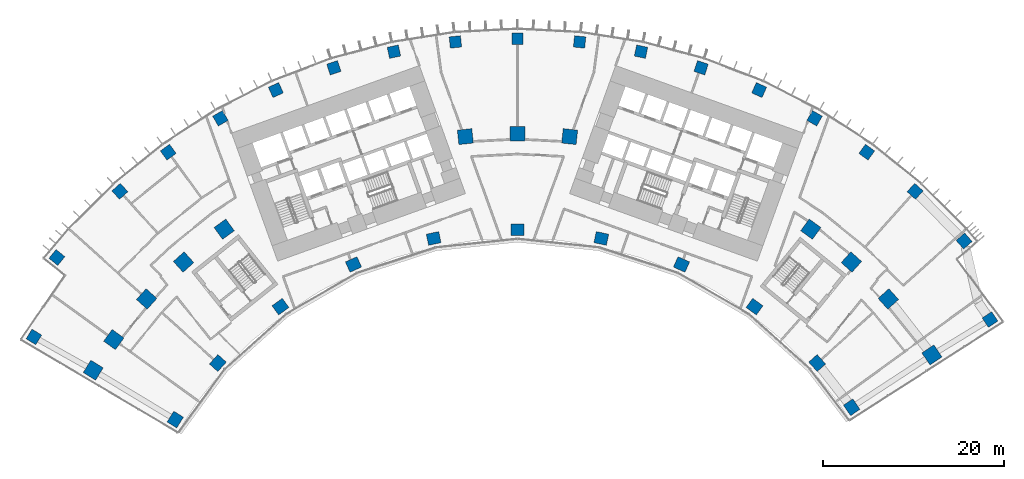
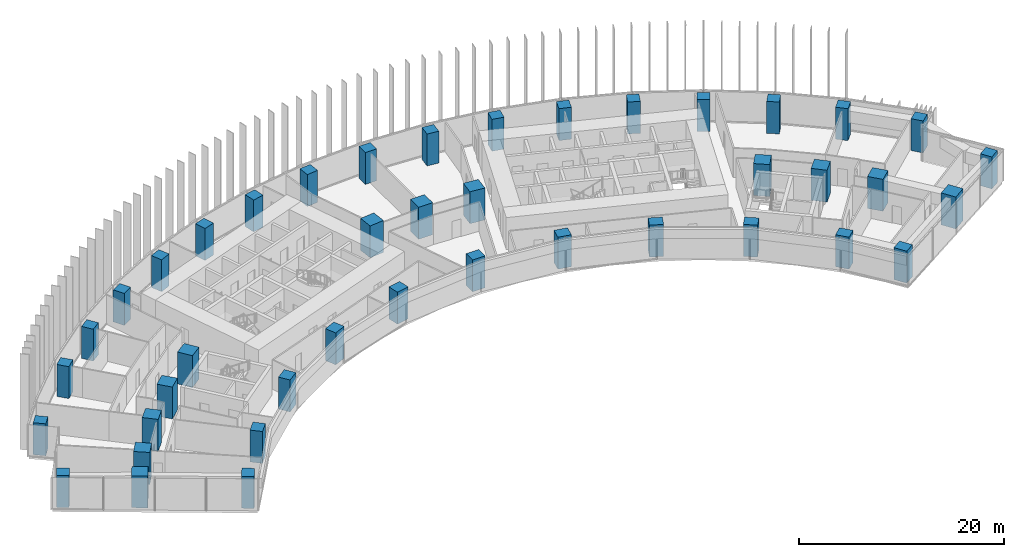
# One storey, part 1 of 25: 42 columns.
"""IFC4 building model written with IfcOpenShell, lengths in metres."""

from ifc_helpers import new_model, si_unit, direction, frame, origin, origin_2d, place, context, subcontext, project, spatial, rectangle, extrude, material, material_profile, profile_set, type_object, element, save


model = new_model("IFC4")

# Units and contexts
model_context = context("Model", 3, precision=1e-05, world=origin(), true_north=direction((0.0, 1.0)))
body_context = subcontext(model_context, "Body", "Model", "MODEL_VIEW")
ifc_project = project(units=[si_unit("LENGTHUNIT", "METRE"), si_unit("AREAUNIT", "SQUARE_METRE"), si_unit("VOLUMEUNIT", "CUBIC_METRE"), si_unit("PLANEANGLEUNIT", "RADIAN"), si_unit("MASSUNIT", "GRAM", prefix="KILO")], contexts=[model_context])

# Site, building, storey
site_placement = place(None, origin())
site = spatial("IfcSite", under=ifc_project, at=site_placement, CompositionType="ELEMENT")
building_placement = place(site_placement, origin())
building = spatial("IfcBuilding", under=site, at=building_placement, Name="Stone Belt Terrace Tower", CompositionType="ELEMENT")
storey_placement = place(building_placement, frame((0.0, 0.0, 52.800048828125)))
storey = spatial("IfcBuildingStorey", under=building, at=storey_placement, Name="L12", CompositionType="ELEMENT", Elevation=52.800048828125)

# Columns
ifc_material = material(Name="Concrete B80", Category="concrete")
ifc_material_profile_1 = material_profile(ifc_material, rectangle(XDim=1.25, YDim=1.25, at=origin_2d()), Name="RC 1250x1250")
ifc_profile_set_1 = profile_set([ifc_material_profile_1], Name="Concrete B80")
column_type_1 = type_object("IfcColumnType", Name="Column RC 1250x1250 B80", PredefinedType="COLUMN", material=ifc_profile_set_1)
for number, where, z_axis, x_axis, name in (
    (1, (-53.30078125, 32.6171875, 0.0), (0.0, 0.0, 1.0), (0.521967198123, 0.852965558556, 0.0), "Column L12 RA"),
    (2, (52.079833984375, 34.533203125, 0.0), (0.0, 0.0, 1.0), (0.552632476899, -0.833425068903, 0.0), "Column L12 RB"),
    (3, (-50.7646484375, 41.373046875, 0.0), (0.0, 0.0, 1.0), (0.631758757508, 0.775165061333, 0.0), "Column L12 RNA"),
    (4, (-43.820556640625, 48.667724609375, 0.0), (0.0, 0.0, 1.0), (0.743144825477, 0.669130606359, 0.0), "Column L12 R15"),
    (5, (-38.493408203125, 52.981689453125, 0.0), (0.0, 0.0, 1.0), (0.809016994375, 0.587785252292, 0.0), "Column L12 R16"),
    (6, (-32.744384765625, 56.715087890625, 0.0), (0.0, 0.0, 1.0), (0.866025403784, 0.5, 0.0), "Column L12 R17"),
    (7, (-26.63671875, 59.8271484375, 0.0), (0.0, 0.0, 1.0), (0.913545457643, 0.406736643076, 0.0), "Column L12 R18"),
    (8, (-20.2373046875, 62.28369140625, 0.0), (0.0, 0.0, 1.0), (0.951056516295, 0.309016994375, 0.0), "Column L12 R19"),
    (9, (-13.615966796875, 64.057861328125, 0.0), (0.0, 0.0, 1.0), (0.978147600734, 0.207911690818, 0.0), "Column L12 R20"),
    (10, (-6.845458984375, 65.130126953125, 0.0), (0.0, 0.0, 1.0), (0.994521895368, 0.104528463268, 0.0), "Column L12 R21"),
    (11, (0.0, 65.489013671875, 0.0), (0.0, 0.0, 1.0), (1.0, 0.0, 0.0), "Column L12 R22"),
    (12, (6.845458984375, 65.130126953125, 0.0), (0.0, 0.0, 1.0), (0.994521895368, -0.104528463268, 0.0), "Column L12 R23"),
    (13, (13.615966796875, 64.057861328125, 0.0), (0.0, 0.0, 1.0), (0.978147600734, -0.207911690818, 0.0), "Column L12 R24"),
    (14, (20.2373046875, 62.28369140625, 0.0), (0.0, 0.0, 1.0), (0.951056516295, -0.309016994375, 0.0), "Column L12 R25"),
    (15, (26.63671875, 59.8271484375, 0.0), (0.0, 0.0, 1.0), (0.913545457643, -0.406736643076, 0.0), "Column L12 R26"),
    (16, (32.744384765625, 56.715087890625, 0.0), (0.0, 0.0, 1.0), (0.866025403784, -0.5, 0.0), "Column L12 R27"),
    (17, (38.493408203125, 52.981689453125, 0.0), (0.0, 0.0, 1.0), (0.809016994375, -0.587785252292, 0.0), "Column L12 R28"),
    (18, (43.820556640625, 48.667724609375, 0.0), (0.0, 0.0, 1.0), (0.743144825477, -0.669130606359, 0.0), "Column L12 R29"),
    (19, (49.22705078125, 43.19140625, 0.0), (0.0, 0.0, 1.0), (0.659521632939, -0.751685582997, 0.0), "Column L12 RNB"),
):
    element("IfcColumn", number, at=place(storey_placement, frame(where, z_axis=z_axis, x_axis=x_axis)), inside=storey, type_object=column_type_1, Name=name, PredefinedType="COLUMN", context=body_context, shape_type="SweptSolid", body=[
        extrude(rectangle(XDim=1.25, YDim=1.25, at=origin_2d()), origin(), (0.0, 0.0, 1.0), 3.800048828125),
    ])
ifc_material_profile_2 = material_profile(ifc_material, rectangle(XDim=1.39990234375, YDim=1.25, at=origin_2d()), Name="RC 1400x1250")
ifc_profile_set_2 = profile_set([ifc_material_profile_2], Name="Concrete B80")
column_type_2 = type_object("IfcColumnType", Name="Column RC 1400x1250 B80", PredefinedType="COLUMN", material=ifc_profile_set_2)
for number, where, z_axis, x_axis, name in (
    (20, (-37.718017578125, 23.510009765625, 0.0), (0.0, 0.0, 1.0), (0.528967211548, 0.84864226215, 0.0), "Column L12 PA"),
    (21, (-33.029052734375, 29.739501953125, 0.0), (0.0, 0.0, 1.0), (0.669130606359, 0.743144825477, 0.0), "Column L12 P14"),
    (22, (-26.1240234375, 35.956787109375, 0.0), (0.0, 0.0, 1.0), (0.809016994375, 0.587785252292, 0.0), "Column L12 P16"),
    (23, (-18.077392578125, 40.6025390625, 0.0), (0.0, 0.0, 1.0), (0.913545457643, 0.406736643076, 0.0), "Column L12 P18"),
    (24, (-9.240478515625, 43.473876953125, 0.0), (0.0, 0.0, 1.0), (0.978147600734, 0.207911690818, 0.0), "Column L12 P20"),
    (25, (0.0, 44.445068359375, 0.0), (0.0, 0.0, 1.0), (1.0, 0.0, 0.0), "Column L12 P22"),
    (26, (9.240478515625, 43.473876953125, 0.0), (0.0, 0.0, 1.0), (0.978147600734, -0.207911690818, 0.0), "Column L12 P24"),
    (27, (18.077392578125, 40.6025390625, 0.0), (0.0, 0.0, 1.0), (0.913545457643, -0.406736643076, 0.0), "Column L12 P26"),
    (28, (26.1240234375, 35.956787109375, 0.0), (0.0, 0.0, 1.0), (0.809016994375, -0.587785252292, 0.0), "Column L12 P28"),
    (29, (33.029052734375, 29.739501953125, 0.0), (0.0, 0.0, 1.0), (0.669130606359, -0.743144825477, 0.0), "Column L12 P30"),
    (30, (36.83837890625, 24.865478515625, 0.0), (0.0, 0.0, 1.0), (0.559469238608, -0.828851115129, 0.0), "Column L12 PB"),
):
    element("IfcColumn", number, at=place(storey_placement, frame(where, z_axis=z_axis, x_axis=x_axis)), inside=storey, type_object=column_type_2, Name=name, PredefinedType="COLUMN", context=body_context, shape_type="SweptSolid", body=[
        extrude(rectangle(XDim=1.39990234375, YDim=1.25, at=origin_2d()), origin(), (0.0, 0.0, 1.0), 3.800048828125),
    ])
ifc_material_profile_3 = material_profile(ifc_material, rectangle(XDim=1.60009765625, YDim=1.60009765625, at=origin_2d()), Name="RC 1600x1600")
ifc_profile_set_3 = profile_set([ifc_material_profile_3], Name="Concrete B80")
column_type_3 = type_object("IfcColumnType", Name="Column RC 1600x1600 B80", PredefinedType="COLUMN", material=ifc_profile_set_3)
for number, where, z_axis, x_axis, name in (
    (31, (-46.763671875, 28.951171875, 0.0), (0.0, 0.0, 1.0), (0.526383105721, 0.850247508677, 0.0), "Column L12 QA"),
    (32, (-44.495849609375, 32.328125, 0.0), (0.0, 0.0, 1.0), (0.587785252292, 0.809016994375, 0.0), "Column L12 Q13"),
    (33, (-40.873046875, 36.80224609375, 0.0), (0.0, 0.0, 1.0), (0.669130606359, 0.743144825477, 0.0), "Column L12 Q14"),
    (34, (-36.80224609375, 40.873046875, 0.0), (0.0, 0.0, 1.0), (0.743144825477, 0.669130606359, 0.0), "Column L12 Q15"),
    (35, (-32.328125, 44.495849609375, 0.0), (0.0, 0.0, 1.0), (0.809016994375, 0.587785252292, 0.0), "Column L12 Q16"),
    (36, (-5.7490234375, 54.69873046875, 0.0), (0.0, 0.0, 1.0), (0.994521895368, 0.104528463268, 0.0), "Column L12 Q21"),
    (37, (0.0, 55.0, 0.0), (0.0, 0.0, 1.0), (1.0, 0.0, 0.0), "Column L12 Q22"),
    (38, (5.7490234375, 54.69873046875, 0.0), (0.0, 0.0, 1.0), (0.994521895368, -0.104528463268, 0.0), "Column L12 Q23"),
    (39, (32.328125, 44.495849609375, 0.0), (0.0, 0.0, 1.0), (0.809016994375, -0.587785252292, 0.0), "Column L12 Q28"),
    (40, (36.80224609375, 40.873046875, 0.0), (0.0, 0.0, 1.0), (0.743144825477, -0.669130606359, 0.0), "Column L12 Q29"),
    (41, (40.873046875, 36.80224609375, 0.0), (0.0, 0.0, 1.0), (0.669130606359, -0.743144825477, 0.0), "Column L12 Q30"),
    (42, (45.68017578125, 30.632080078125, 0.0), (0.0, 0.0, 1.0), (0.556946647954, -0.830548271525, 0.0), "Column L12 QB"),
):
    element("IfcColumn", number, at=place(storey_placement, frame(where, z_axis=z_axis, x_axis=x_axis)), inside=storey, type_object=column_type_3, Name=name, PredefinedType="COLUMN", context=body_context, shape_type="SweptSolid", body=[
        extrude(rectangle(XDim=1.60009765625, YDim=1.60009765625, at=origin_2d()), origin(), (0.0, 0.0, 1.0), 3.800048828125),
    ])

save(model, "model.ifc")
